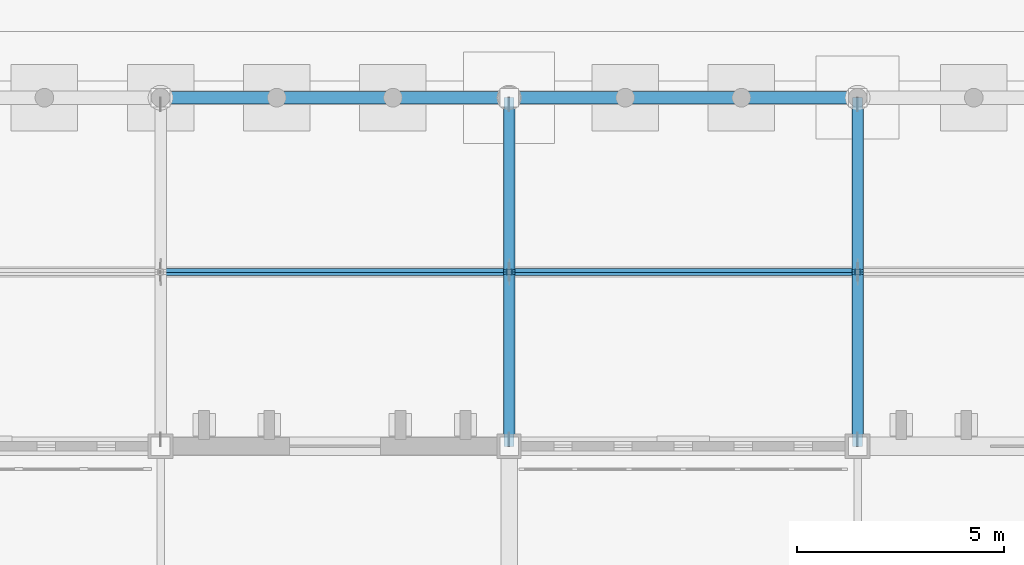
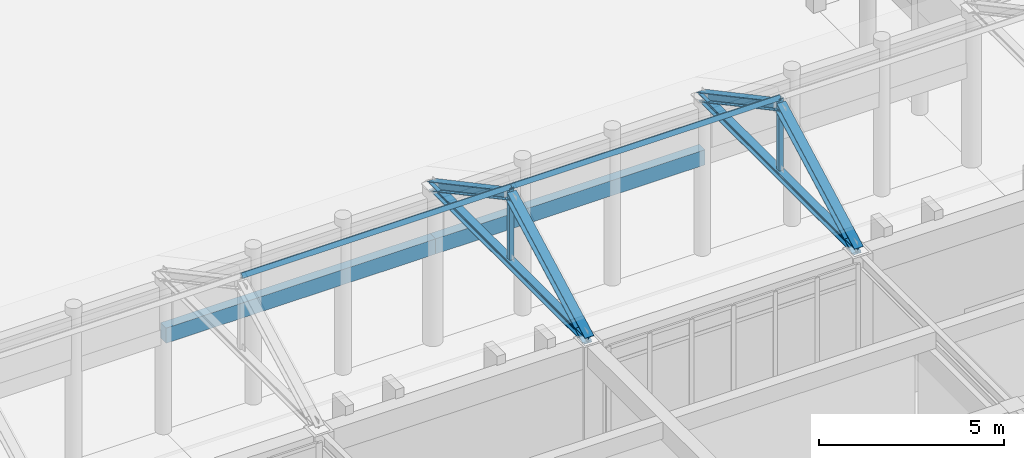
# One storey, part 44 of 143: 10 members, 2 beams.
"""IFC4 building model written with IfcOpenShell, lengths in metres."""

import ifcopenshell
import ifcopenshell.guid

model = None  # the IFC model being written
_history = None  # IfcOwnerHistory: only IFC2X3 demands one
_inside = {}  # id of a spatial element -> (the spatial element, [elements in it])
_under = {}  # id of a project, library or spatial element -> (it, [spatial elements below it])
_declared = {}  # id of a project -> (the project, [libraries it declares])
_typed = {}  # id of a type object -> (the type object, [elements of that type])
_made_of = {}  # id of a material, layer set ... -> (it, [elements and type objects made of it])


def new_model(schema):
    """Start an empty IFC model of exactly this schema.

    Asked for "IFC4X3", IfcOpenShell would pick the latest addendum, in which some entities
    have other attributes; the version numbers below select the first issue.
    IFC2X3 requires an IfcOwnerHistory on every rooted entity: one is made here for all.
    """
    global model, _history
    if schema == "IFC4X3":
        model = ifcopenshell.file(schema_version=(4, 3, 0, 0))
    else:
        model = ifcopenshell.file(schema=schema)
    _inside.clear()
    _under.clear()
    _declared.clear()
    _typed.clear()
    _made_of.clear()
    _history = None
    if model.schema == "IFC2X3":
        org = make("IfcOrganization", Name="unknown")
        user = make(
            "IfcPersonAndOrganization",
            ThePerson=make("IfcPerson", FamilyName="unknown"),
            TheOrganization=org,
        )
        app = make(
            "IfcApplication",
            ApplicationDeveloper=org,
            Version="unknown",
            ApplicationFullName="unknown",
            ApplicationIdentifier="unknown",
        )
        _history = make(
            "IfcOwnerHistory",
            OwningUser=user,
            OwningApplication=app,
            ChangeAction="ADDED",
            CreationDate=0,
        )
    return model


def make(cls, **values):
    """One entity of the class cls with the attributes given. An attribute that is None is left unset."""
    return model.create_entity(
        cls, **{name: value for name, value in values.items() if value is not None}
    )


def rooted(cls, **values):
    """An entity with a GlobalId (a new one), such as an element, a storey or a relation."""
    return make(cls, GlobalId=ifcopenshell.guid.new(), OwnerHistory=_history, **values)


def si_unit(unit_type, name, prefix=None):
    """IfcSIUnit, for example si_unit("LENGTHUNIT", "METRE", prefix="MILLI")."""
    return make("IfcSIUnit", UnitType=unit_type, Prefix=prefix, Name=name)


def assignment(units):
    """IfcUnitAssignment: the units of a project."""
    return None if units is None else make("IfcUnitAssignment", Units=units)


def point(xyz):
    """IfcCartesianPoint."""
    return None if xyz is None else make("IfcCartesianPoint", Coordinates=xyz)


def direction(xyz):
    """IfcDirection."""
    return None if xyz is None else make("IfcDirection", DirectionRatios=xyz)


def frame(location, z_axis=None, x_axis=None):
    """IfcAxis2Placement3D, a coordinate frame: its origin and axes. An axis left out is left unset."""
    return make(
        "IfcAxis2Placement3D",
        Location=point(location),
        Axis=direction(z_axis),
        RefDirection=direction(x_axis),
    )


def frame_2d(location, x_axis=None):
    """IfcAxis2Placement2D, a coordinate frame in the plane: its origin and x axis."""
    return make(
        "IfcAxis2Placement2D", Location=point(location), RefDirection=direction(x_axis)
    )


def origin():
    """The frame at (0, 0, 0) with its axes left unset."""
    return frame((0.0, 0.0, 0.0))


def origin_2d():
    """The frame at (0, 0) in the plane with its x axis left unset."""
    return frame_2d((0.0, 0.0))


def place(relative_to, where):
    """IfcLocalPlacement: puts the frame where relative to a parent placement (None: the world)."""
    return make(
        "IfcLocalPlacement", PlacementRelTo=relative_to, RelativePlacement=where
    )


def context(
    kind, dimensions, precision=None, world=None, true_north=None, identifier=None
):
    """IfcGeometricRepresentationContext, for example the 3D "Model" context."""
    return make(
        "IfcGeometricRepresentationContext",
        ContextIdentifier=identifier,
        ContextType=kind,
        CoordinateSpaceDimension=dimensions,
        Precision=precision,
        WorldCoordinateSystem=world,
        TrueNorth=true_north,
    )


def subcontext(parent, identifier, kind, view, scale=None):
    """IfcGeometricRepresentationSubContext, for example "Body" below "Model"."""
    return make(
        "IfcGeometricRepresentationSubContext",
        ContextIdentifier=identifier,
        ContextType=kind,
        ParentContext=parent,
        TargetScale=scale,
        TargetView=view,
    )


def project(units=None, contexts=None):
    """IfcProject with its units and contexts."""
    return rooted(
        "IfcProject",
        Name="project",
        RepresentationContexts=contexts,
        UnitsInContext=assignment(units),
    )


def spatial(cls, under=None, at=None, **own):
    """A site, building, storey or space (cls), placed at a placement, below another one or the project."""
    s = rooted(cls, ObjectPlacement=at, **own)
    if under is not None:
        _under.setdefault(under.id(), (under, []))[1].append(s)
    return s


def profile(cls, at=None, kind="AREA", **sizes):
    """A parametric profile (cls). Its sizes go by their IFC names, for example OverallWidth=200.0."""
    return make(cls, ProfileType=kind, Position=at, **sizes)


def rectangle(**sizes):
    """IfcRectangleProfileDef."""
    return profile("IfcRectangleProfileDef", **sizes)


def hollow_rectangle(**sizes):
    """IfcRectangleHollowProfileDef."""
    return profile("IfcRectangleHollowProfileDef", **sizes)


def i_section(**sizes):
    """IfcIShapeProfileDef."""
    return profile("IfcIShapeProfileDef", **sizes)


def extrude(swept, where, along, depth):
    """IfcExtrudedAreaSolid: the profile swept, set in the frame where, extruded along a direction by depth."""
    return make(
        "IfcExtrudedAreaSolid",
        SweptArea=swept,
        Position=where,
        ExtrudedDirection=direction(along),
        Depth=depth,
    )


def shape(context_of_items, identifier, shape_type, items):
    """IfcShapeRepresentation: the items that make up one representation, for example the "Body"."""
    return make(
        "IfcShapeRepresentation",
        ContextOfItems=context_of_items,
        RepresentationIdentifier=identifier,
        RepresentationType=shape_type,
        Items=items,
    )


def material(Name=None, Category=None):
    """IfcMaterial."""
    return make("IfcMaterial", Name=Name, Category=Category)


def material_profile(
    of_material, cross_section, Name=None, Category=None, Priority=None
):
    """IfcMaterialProfile: a cross section and its material."""
    return make(
        "IfcMaterialProfile",
        Name=Name,
        Material=of_material,
        Profile=cross_section,
        Priority=Priority,
        Category=Category,
    )


def profile_set(profiles, Name=None, composite=None):
    """IfcMaterialProfileSet."""
    return make(
        "IfcMaterialProfileSet",
        Name=Name,
        MaterialProfiles=profiles,
        CompositeProfile=composite,
    )


def made_of(thing, what):
    """Note that an element or type object is made of a material, layer set ...; save() writes the relation."""
    if what is not None:
        _made_of.setdefault(what.id(), (what, []))[1].append(thing)
    return thing


def type_object(cls, material=None, **own):
    """A type object (cls), such as IfcWallType, which elements share."""
    return made_of(rooted(cls, **own), material)


def element(
    cls,
    number,
    at=None,
    inside=None,
    cuts=None,
    type_object=None,
    material=None,
    context=None,
    identifier="Body",
    shape_type=None,
    held_by="IfcProductDefinitionShape",
    body=None,
    shapes=None,
    **own,
):
    """One element of the class cls, such as IfcWall. Its Tag is "e" and its number.

    at: its placement. inside: the storey or other place that contains it. cuts: it is an
    opening in that element (IfcRelVoidsElement). A single representation is given by context,
    identifier, shape_type and body (its items); several are given by shapes. held_by: the class
    of the entity that holds the representations. save() writes the other relations.
    """
    e = rooted(cls, Tag="e%d" % number, ObjectPlacement=at, **own)
    if body is not None:
        shapes = [shape(context, identifier, shape_type, body)]
    if shapes is not None:
        e.Representation = make(held_by, Representations=shapes)
    if inside is not None:
        _inside.setdefault(inside.id(), (inside, []))[1].append(e)
    if cuts is not None:
        rooted(
            "IfcRelVoidsElement", RelatingBuildingElement=cuts, RelatedOpeningElement=e
        )
    if type_object is not None:
        _typed.setdefault(type_object.id(), (type_object, []))[1].append(e)
    return made_of(e, material)


def aggregate(whole, parts):
    """IfcRelAggregates: a whole, such as a stair, and the parts it consists of."""
    return rooted("IfcRelAggregates", RelatingObject=whole, RelatedObjects=parts)


def save(model, path):
    """Write the relations noted so far, then the file.

    IfcRelAggregates (storeys below a building ...), IfcRelContainedInSpatialStructure (elements
    in a storey), IfcRelDefinesByType, IfcRelAssociatesMaterial and IfcRelDeclares: one each for
    every whole, place, type object, material and project.
    """
    for whole, parts in _under.values():
        aggregate(whole, parts)
    for where, things in _inside.values():
        rooted(
            "IfcRelContainedInSpatialStructure",
            RelatedElements=things,
            RelatingStructure=where,
        )
    for kind, things in _typed.values():
        rooted("IfcRelDefinesByType", RelatedObjects=things, RelatingType=kind)
    for what, things in _made_of.values():
        rooted("IfcRelAssociatesMaterial", RelatedObjects=things, RelatingMaterial=what)
    for by, libraries in _declared.values():
        rooted("IfcRelDeclares", RelatingContext=by, RelatedDefinitions=libraries)
    model.write(path)


model = new_model("IFC4")

# Units and contexts
model_context = context("Model", 3, precision=1e-05, world=origin(), true_north=direction((0.0, 1.0)))
body_context = subcontext(model_context, "Body", "Model", "MODEL_VIEW")
ifc_project = project(units=[si_unit("LENGTHUNIT", "METRE"), si_unit("AREAUNIT", "SQUARE_METRE"), si_unit("VOLUMEUNIT", "CUBIC_METRE"), si_unit("PLANEANGLEUNIT", "RADIAN"), si_unit("MASSUNIT", "GRAM", prefix="KILO")], contexts=[model_context])

# Site, building, storey
site_placement = place(None, origin())
site = spatial("IfcSite", under=ifc_project, at=site_placement, CompositionType="ELEMENT")
building_placement = place(site_placement, origin())
building = spatial("IfcBuilding", under=site, at=building_placement, Name="Kveldsbrygga Polytechnic", CompositionType="ELEMENT")
storey_placement = place(building_placement, origin())
storey = spatial("IfcBuildingStorey", under=building, at=storey_placement, Name="L00", CompositionType="ELEMENT", Elevation=0.0)

# Beams
ifc_material_1 = material(Name="Concrete C35/45", Category="concrete")
ifc_material_profile_1 = material_profile(ifc_material_1, rectangle(XDim=0.300048828125, YDim=0.5, at=origin_2d()), Name="RC 300x500")
ifc_profile_set_1 = profile_set([ifc_material_profile_1], Name="Concrete C35/45")
beam_type = type_object("IfcBeamType", Name="LNT-RC-300x500", PredefinedType="LINTEL", material=ifc_profile_set_1)
beam_1_placement = place(storey_placement, frame((92.39990234375, 33.60009765625, 3.199951171875), z_axis=(1.0, 0.0, 0.0), x_axis=(0.0, 1.0, 0.0)))
element("IfcBeam", 1, at=beam_1_placement, inside=storey, type_object=beam_type, Name="Cloister Arcade Arch Lintel Beam BM-ARC-HDR-09", PredefinedType="LINTEL", context=body_context, shape_type="SweptSolid", body=[
    extrude(rectangle(XDim=0.300048828125, YDim=0.5, at=origin_2d()), origin(), (0.0, 0.0, 1.0), 8.400146484375),
])
beam_2_placement = place(storey_placement, frame((100.800048828125, 33.60009765625, 3.199951171875), z_axis=(1.0, 0.0, 0.0), x_axis=(0.0, 1.0, 0.0)))
element("IfcBeam", 2, at=beam_2_placement, inside=storey, type_object=beam_type, Name="Cloister Arcade Arch Lintel Beam BM-ARC-HDR-10", PredefinedType="LINTEL", context=body_context, shape_type="SweptSolid", body=[
    extrude(rectangle(XDim=0.300048828125, YDim=0.5, at=origin_2d()), origin(), (0.0, 0.0, 1.0), 8.39990234375),
])

# Members
ifc_material_2 = material(Name="Steel S355", Category="steel")
ifc_material_profile_2 = material_profile(ifc_material_2, hollow_rectangle(XDim=0.10009765625, YDim=0.14990234375, WallThickness=0.008056640625, at=origin_2d()), Name="RHS 150x100x8.0")
ifc_profile_set_2 = profile_set([ifc_material_profile_2], Name="Steel S355")
member_type_1 = type_object("IfcMemberType", Name="PRL-RHS150", PredefinedType="PURLIN", material=ifc_profile_set_2)
member_1_placement = place(storey_placement, frame((92.39990234375, 29.39990234375, 7.6337890625), z_axis=(1.0, 0.0, 0.0), x_axis=(0.0, 0.881479888517, -0.472221564671)))
element("IfcMember", 3, at=member_1_placement, inside=storey, type_object=member_type_1, Name="Roof Purlin ARC-ES-PRL-3-1", PredefinedType="PURLIN", context=body_context, shape_type="SweptSolid", body=[
    extrude(hollow_rectangle(XDim=0.10009765625, YDim=0.14990234375, WallThickness=0.008056640625, at=origin_2d()), origin(), (0.0, 0.0, 1.0), 8.400146484375),
])
member_2_placement = place(storey_placement, frame((100.800048828125, 29.39990234375, 7.6337890625), z_axis=(1.0, 0.0, 0.0), x_axis=(0.0, 0.881479888517, -0.472221564671)))
element("IfcMember", 4, at=member_2_placement, inside=storey, type_object=member_type_1, Name="Roof Purlin ARC-ES-PRL-4-1", PredefinedType="PURLIN", context=body_context, shape_type="SweptSolid", body=[
    extrude(hollow_rectangle(XDim=0.10009765625, YDim=0.14990234375, WallThickness=0.008056640625, at=origin_2d()), origin(), (0.0, 0.0, 1.0), 8.39990234375),
])
ifc_material_profile_3 = material_profile(ifc_material_2, i_section(OverallWidth=0.239990234375, OverallDepth=0.239990234375, WebThickness=0.010009765625, FlangeThickness=0.01708984375, FilletRadius=0.02099609375, at=origin_2d()), Name="HEB 240")
ifc_profile_set_3 = profile_set([ifc_material_profile_3], Name="Steel S355")
member_type_2 = type_object("IfcMemberType", Name="TR-BOT-HEB240", PredefinedType="CHORD", material=ifc_profile_set_3)
for number, where, z_axis, x_axis, name in (
    (5, (100.800048828125, 25.199951171875, 5.139892578125), (0.0, 1.0, 0.0), (-1.0, 0.0, 0.0), "Truss Bottom Chord ARC-ES-T04-BC-1"),
    (6, (109.199951171875, 25.199951171875, 5.139892578125), (0.0, 1.0, 0.0), (-1.0, 0.0, 0.0), "Truss Bottom Chord ARC-ES-T05-BC-1"),
):
    element("IfcMember", number, at=place(storey_placement, frame(where, z_axis=z_axis, x_axis=x_axis)), inside=storey, type_object=member_type_2, Name=name, PredefinedType="CHORD", context=body_context, shape_type="SweptSolid", body=[
        extrude(i_section(OverallWidth=0.239990234375, OverallDepth=0.239990234375, WebThickness=0.010009765625, FlangeThickness=0.01708984375, FilletRadius=0.02099609375, at=origin_2d()), origin(), (0.0, 0.0, 1.0), 8.400146484375),
    ])
ifc_material_profile_4 = material_profile(ifc_material_2, hollow_rectangle(XDim=0.139892578125, YDim=0.139892578125, WallThickness=0.008056640625, at=origin_2d()), Name="SHS 140x140x8.0")
ifc_profile_set_4 = profile_set([ifc_material_profile_4], Name="Steel S355")
member_type_3 = type_object("IfcMemberType", Name="TR-POST-SHS140", PredefinedType="STRUT", material=ifc_profile_set_4)
for number, where, z_axis, x_axis, name in (
    (7, (100.800048828125, 29.39990234375, 5.139892578125), (0.0, 0.0, 1.0), (1.0, 0.0, 0.0), "Truss Vertical ARC-ES-T04-VT-1"),
    (8, (109.199951171875, 29.39990234375, 5.139892578125), (0.0, 0.0, 1.0), (1.0, 0.0, 0.0), "Truss Vertical ARC-ES-T05-VT-1"),
):
    element("IfcMember", number, at=place(storey_placement, frame(where, z_axis=z_axis, x_axis=x_axis)), inside=storey, type_object=member_type_3, Name=name, PredefinedType="STRUT", context=body_context, shape_type="SweptSolid", body=[
        extrude(hollow_rectangle(XDim=0.139892578125, YDim=0.139892578125, WallThickness=0.008056640625, at=origin_2d()), origin(), (0.0, 0.0, 1.0), 2.493896484375),
    ])
ifc_material_profile_5 = material_profile(ifc_material_2, i_section(OverallWidth=0.280029296875, OverallDepth=0.280029296875, WebThickness=0.010498046875, FlangeThickness=0.01806640625, FilletRadius=0.02392578125, at=origin_2d()), Name="HEB 280")
ifc_profile_set_5 = profile_set([ifc_material_profile_5], Name="Steel S355")
member_type_4 = type_object("IfcMemberType", Name="TR-TOP-HEB280", PredefinedType="CHORD", material=ifc_profile_set_5)
member_3_placement = place(storey_placement, frame((100.800048828125, 25.199951171875, 5.139892578125), z_axis=(0.0, 0.881477684796, 0.472225678258), x_axis=(-1.0, 0.0, 0.0)))
element("IfcMember", 9, at=member_3_placement, inside=storey, type_object=member_type_4, Name="Truss Top Chord ARC-ES-T04-TC-1", PredefinedType="CHORD", context=body_context, shape_type="SweptSolid", body=[
    extrude(i_section(OverallWidth=0.280029296875, OverallDepth=0.280029296875, WebThickness=0.010498046875, FlangeThickness=0.01806640625, FilletRadius=0.02392578125, at=origin_2d()), origin(), (0.0, 0.0, 1.0), 4.7646484375),
])
member_4_placement = place(storey_placement, frame((100.800048828125, 29.39990234375, 7.389892578125), z_axis=(0.0, 0.881489110341, -0.472204350203), x_axis=(-1.0, 0.0, 0.0)))
element("IfcMember", 10, at=member_4_placement, inside=storey, type_object=member_type_4, Name="Truss Top Chord ARC-ES-T04-TC-2", PredefinedType="CHORD", context=body_context, shape_type="SweptSolid", body=[
    extrude(i_section(OverallWidth=0.280029296875, OverallDepth=0.280029296875, WebThickness=0.010498046875, FlangeThickness=0.01806640625, FilletRadius=0.02392578125, at=origin_2d()), origin(), (0.0, 0.0, 1.0), 4.764892578125),
])
member_5_placement = place(storey_placement, frame((109.199951171875, 25.199951171875, 5.139892578125), z_axis=(0.0, 0.881477684796, 0.472225678258), x_axis=(-1.0, 0.0, 0.0)))
element("IfcMember", 11, at=member_5_placement, inside=storey, type_object=member_type_4, Name="Truss Top Chord ARC-ES-T05-TC-1", PredefinedType="CHORD", context=body_context, shape_type="SweptSolid", body=[
    extrude(i_section(OverallWidth=0.280029296875, OverallDepth=0.280029296875, WebThickness=0.010498046875, FlangeThickness=0.01806640625, FilletRadius=0.02392578125, at=origin_2d()), origin(), (0.0, 0.0, 1.0), 4.7646484375),
])
member_6_placement = place(storey_placement, frame((109.199951171875, 29.39990234375, 7.389892578125), z_axis=(0.0, 0.881489110341, -0.472204350203), x_axis=(-1.0, 0.0, 0.0)))
element("IfcMember", 12, at=member_6_placement, inside=storey, type_object=member_type_4, Name="Truss Top Chord ARC-ES-T05-TC-2", PredefinedType="CHORD", context=body_context, shape_type="SweptSolid", body=[
    extrude(i_section(OverallWidth=0.280029296875, OverallDepth=0.280029296875, WebThickness=0.010498046875, FlangeThickness=0.01806640625, FilletRadius=0.02392578125, at=origin_2d()), origin(), (0.0, 0.0, 1.0), 4.764892578125),
])

save(model, "model.ifc")
